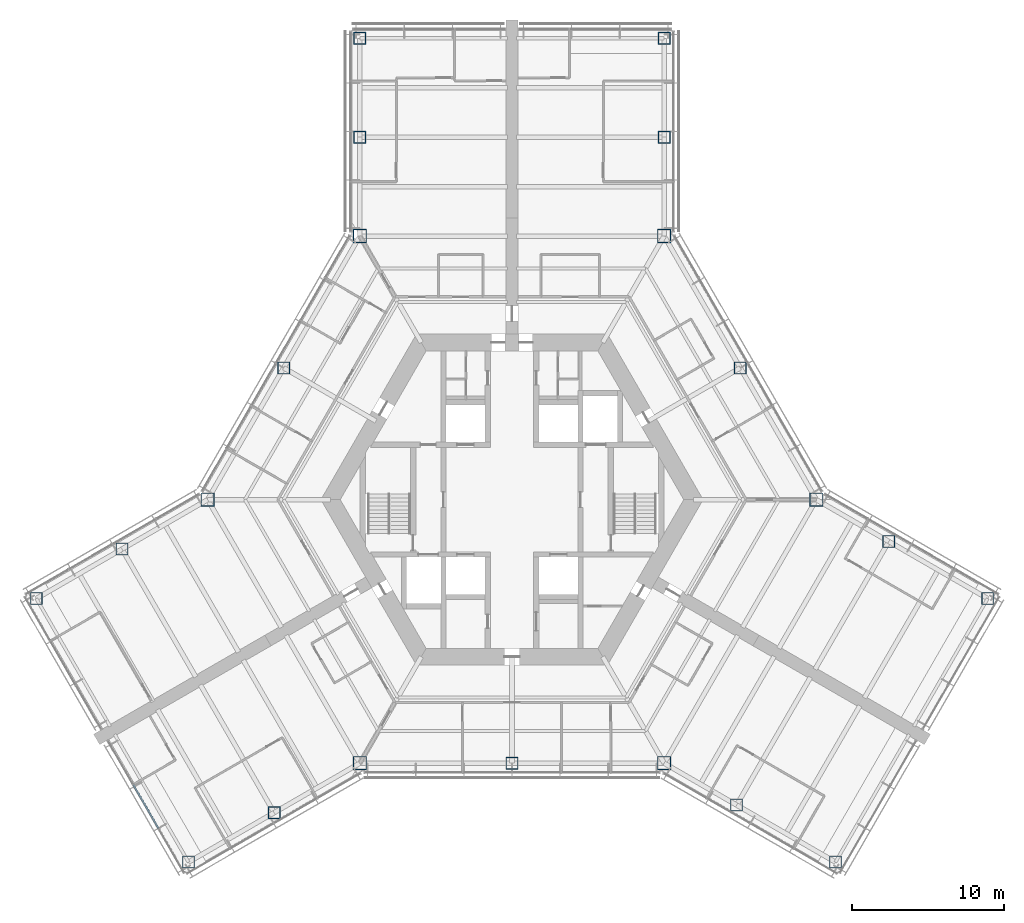
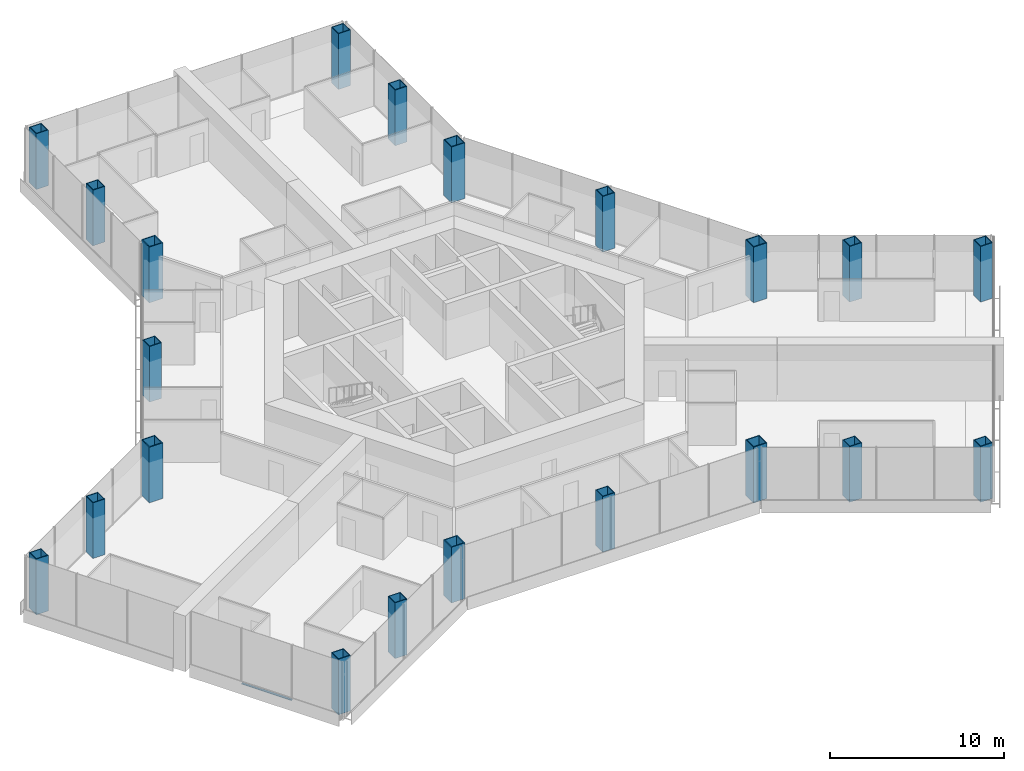
# One storey, part 1 of 19: 21 columns, 1 member, 1 element without a shape of its own.
"""IFC4 building model written with IfcOpenShell, lengths in metres."""

from ifc_helpers import new_model, si_unit, direction, frame, origin, origin_2d, place, context, subcontext, project, spatial, rectangle, hollow_rectangle, extrude, material, material_profile, profile_set, type_object, element, aggregate, save


model = new_model("IFC4")

# Units and contexts
model_context = context("Model", 3, precision=1e-05, world=origin(), true_north=direction((0.0, 1.0)))
body_context = subcontext(model_context, "Body", "Model", "MODEL_VIEW")
ifc_project = project(units=[si_unit("LENGTHUNIT", "METRE"), si_unit("AREAUNIT", "SQUARE_METRE"), si_unit("VOLUMEUNIT", "CUBIC_METRE"), si_unit("PLANEANGLEUNIT", "RADIAN"), si_unit("MASSUNIT", "GRAM", prefix="KILO")], contexts=[model_context])

# Site, building, storey
site_placement = place(None, origin())
site = spatial("IfcSite", under=ifc_project, at=site_placement, CompositionType="ELEMENT")
building_placement = place(site_placement, origin())
building = spatial("IfcBuilding", under=site, at=building_placement, Name="Kasaneha Research Tower", CompositionType="ELEMENT")
storey_placement = place(building_placement, frame((0.0, 0.0, 84.60009765625)))
storey = spatial("IfcBuildingStorey", under=building, at=storey_placement, Name="L21", CompositionType="ELEMENT", Elevation=84.60009765625)

# Columns
ifc_material_1 = material(Name="Steel SN490C", Category="steel")
ifc_material_profile_1 = material_profile(ifc_material_1, hollow_rectangle(XDim=0.89990234375, YDim=0.89990234375, WallThickness=0.054931640625, at=origin_2d()), Name="BOX-900x900x55")
ifc_profile_set_1 = profile_set([ifc_material_profile_1], Name="Steel SN490C")
column_type_1 = type_object("IfcColumnType", Name="C2A column BOX-900x900x55", PredefinedType="COLUMN", material=ifc_profile_set_1)
for number, where, z_axis, x_axis, name in (
    (1, (20.0, 0.0, 0.0), (0.0, 0.0, 1.0), (1.0, 0.0, 0.0), "Column V0 L21"),
    (2, (10.0, 17.320556640625, 0.0), (0.0, 0.0, 1.0), (1.0, 0.0, 0.0), "Column V1 L21"),
    (3, (-10.0, 17.320556640625, 0.0), (0.0, 0.0, 1.0), (1.0, 0.0, 0.0), "Column V2 L21"),
    (4, (-20.0, 0.0, 0.0), (0.0, 0.0, 1.0), (1.0, 0.0, 0.0), "Column V3 L21"),
    (5, (-10.0, -17.320556640625, 0.0), (0.0, 0.0, 1.0), (1.0, 0.0, 0.0), "Column V4 L21"),
    (6, (10.0, -17.320556640625, 0.0), (0.0, 0.0, 1.0), (1.0, 0.0, 0.0), "Column V5 L21"),
):
    element("IfcColumn", number, at=place(storey_placement, frame(where, z_axis=z_axis, x_axis=x_axis)), inside=storey, type_object=column_type_1, Name=name, PredefinedType="COLUMN", context=body_context, shape_type="SweptSolid", body=[
        extrude(hollow_rectangle(XDim=0.89990234375, YDim=0.89990234375, WallThickness=0.054931640625, at=origin_2d()), origin(), (0.0, 0.0, 1.0), 3.89990234375),
    ])
ifc_material_2 = material(Name="Steel SN490C", Category="steel")
ifc_material_profile_2 = material_profile(ifc_material_2, hollow_rectangle(XDim=0.800048828125, YDim=0.800048828125, WallThickness=0.044921875, at=origin_2d()), Name="BOX-800x800x45")
ifc_profile_set_2 = profile_set([ifc_material_profile_2], Name="Steel SN490C")
column_type_2 = type_object("IfcColumnType", Name="C2B column BOX-800x800x45", PredefinedType="COLUMN", material=ifc_profile_set_2)
for number, where, z_axis, x_axis, name in (
    (7, (15.0, 8.66015625, 0.0), (0.0, 0.0, 1.0), (1.0, 0.0, 0.0), "Column M030 L21"),
    (8, (-15.0, 8.66015625, 0.0), (0.0, 0.0, 1.0), (1.0, 0.0, 0.0), "Column M150 L21"),
    (9, (0.0, -17.320556640625, 0.0), (0.0, 0.0, 1.0), (1.0, 0.0, 0.0), "Column M270 L21"),
    (10, (10.0, 23.820556640625, 0.0), (0.0, 0.0, 1.0), (1.0, 0.0, 0.0), "Column ASP L21"),
    (11, (10.0, 30.320556640625, 0.0), (0.0, 0.0, 1.0), (1.0, 0.0, 0.0), "Column ATP L21"),
    (12, (-10.0, 23.820556640625, 0.0), (0.0, 0.0, 1.0), (1.0, 0.0, 0.0), "Column ASN L21"),
    (13, (-10.0, 30.320556640625, 0.0), (0.0, 0.0, 1.0), (1.0, 0.0, 0.0), "Column ATN L21"),
    (14, (-25.629150390625, -3.25, 0.0), (0.0, 0.0, 1.0), (1.0, 0.0, 0.0), "Column BSP L21"),
    (15, (-31.25830078125, -6.5, 0.0), (0.0, 0.0, 1.0), (1.0, 0.0, 0.0), "Column BTP L21"),
    (16, (-15.629150390625, -20.570556640625, 0.0), (0.0, 0.0, 1.0), (1.0, 0.0, 0.0), "Column BSN L21"),
    (17, (-21.25830078125, -23.820556640625, 0.0), (0.0, 0.0, 1.0), (1.0, 0.0, 0.0), "Column BTN L21"),
    (18, (14.76318359375, -20.070556640625, 0.0), (0.0, 0.0, 1.0), (1.0, 0.0, 0.0), "Column CSP L21"),
    (19, (21.25830078125, -23.820556640625, 0.0), (0.0, 0.0, 1.0), (1.0, 0.0, 0.0), "Column CTP L21"),
    (20, (24.76318359375, -2.75, 0.0), (0.0, 0.0, 1.0), (1.0, 0.0, 0.0), "Column CSN L21"),
    (21, (31.25830078125, -6.5, 0.0), (0.0, 0.0, 1.0), (1.0, 0.0, 0.0), "Column CTN L21"),
):
    element("IfcColumn", number, at=place(storey_placement, frame(where, z_axis=z_axis, x_axis=x_axis)), inside=storey, type_object=column_type_2, Name=name, PredefinedType="COLUMN", context=body_context, shape_type="SweptSolid", body=[
        extrude(hollow_rectangle(XDim=0.800048828125, YDim=0.800048828125, WallThickness=0.044921875, at=origin_2d()), origin(), (0.0, 0.0, 1.0), 3.89990234375),
    ])

# Curtain wall, member
ifc_material_3 = material(Name="Glass and aluminium", Category="aluminium")
curtain_wall_type = type_object("IfcCurtainWallType", Name="Low-rise office curtain wall", PredefinedType="USERDEFINED", material=ifc_material_3)
curtain_wall_placement = place(storey_placement, origin())
curtain_wall = element("IfcCurtainWall", 22, at=curtain_wall_placement, inside=storey, type_object=curtain_wall_type, Name="CW-O1 L21 run 15a", ObjectType="UNITISED CURTAIN WALL", PredefinedType="USERDEFINED")
ifc_material_4 = material(Name="Aluminium 6063-T6", Category="aluminium")
ifc_material_profile_3 = material_profile(ifc_material_4, rectangle(XDim=0.1201171875, YDim=0.06005859375, at=origin_2d()), Name="CW-O1 transom 120x60")
ifc_profile_set_3 = profile_set([ifc_material_profile_3], Name="Aluminium 6063-T6")
member_type = type_object("IfcMemberType", Name="CW-O1 transom", PredefinedType="USERDEFINED", material=ifc_profile_set_3)
member_placement = place(storey_placement, frame((-24.879638671875, -18.748291015625, 0.02978515625), z_axis=(0.500014325468, -0.866017132814, 0.0), x_axis=(0.866017132814, 0.500014325468, 0.0)))
member = element("IfcMember", 23, at=member_placement, type_object=member_type, Name="CW-O1 transom 2", ObjectType="TRANSOM", PredefinedType="USERDEFINED", context=body_context, shape_type="SweptSolid", body=[
    extrude(rectangle(XDim=0.1201171875, YDim=0.06005859375, at=origin_2d()), origin(), (0.0, 0.0, 1.0), 3.306640625),
])
aggregate(curtain_wall, [member])

save(model, "model.ifc")
